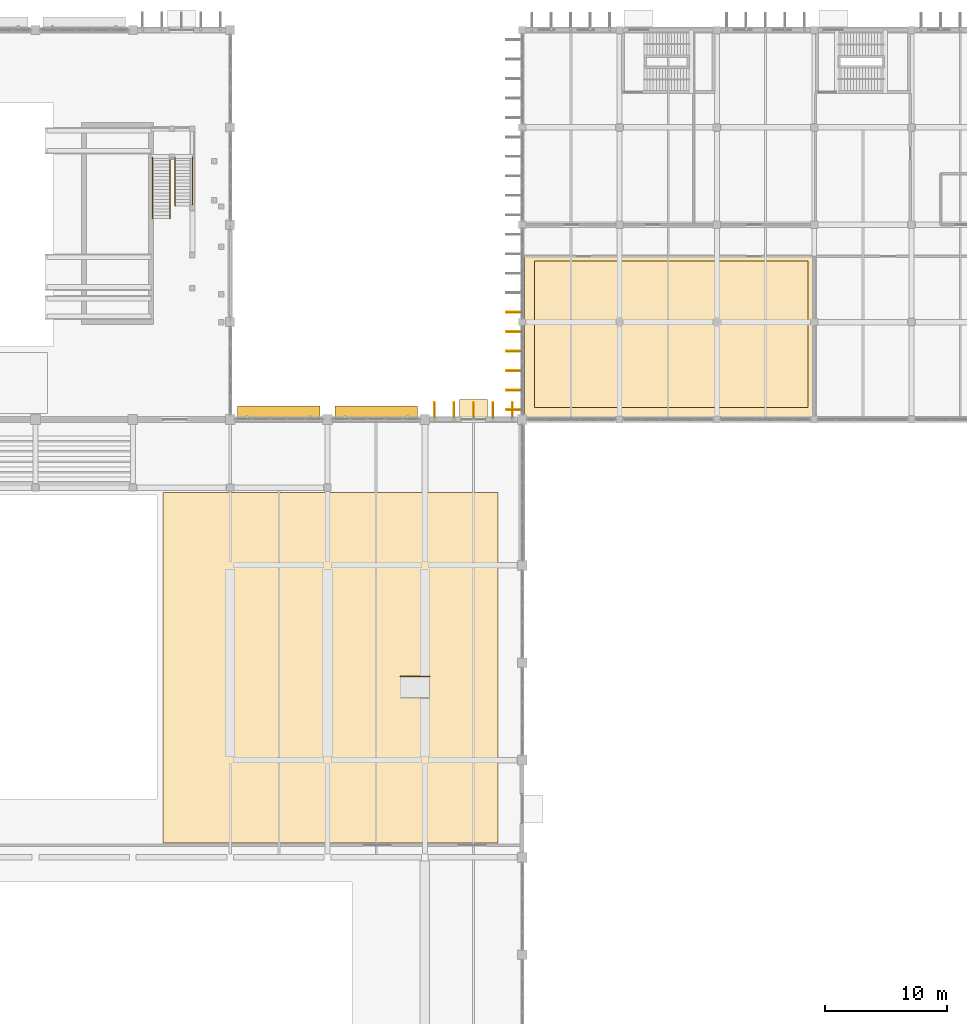
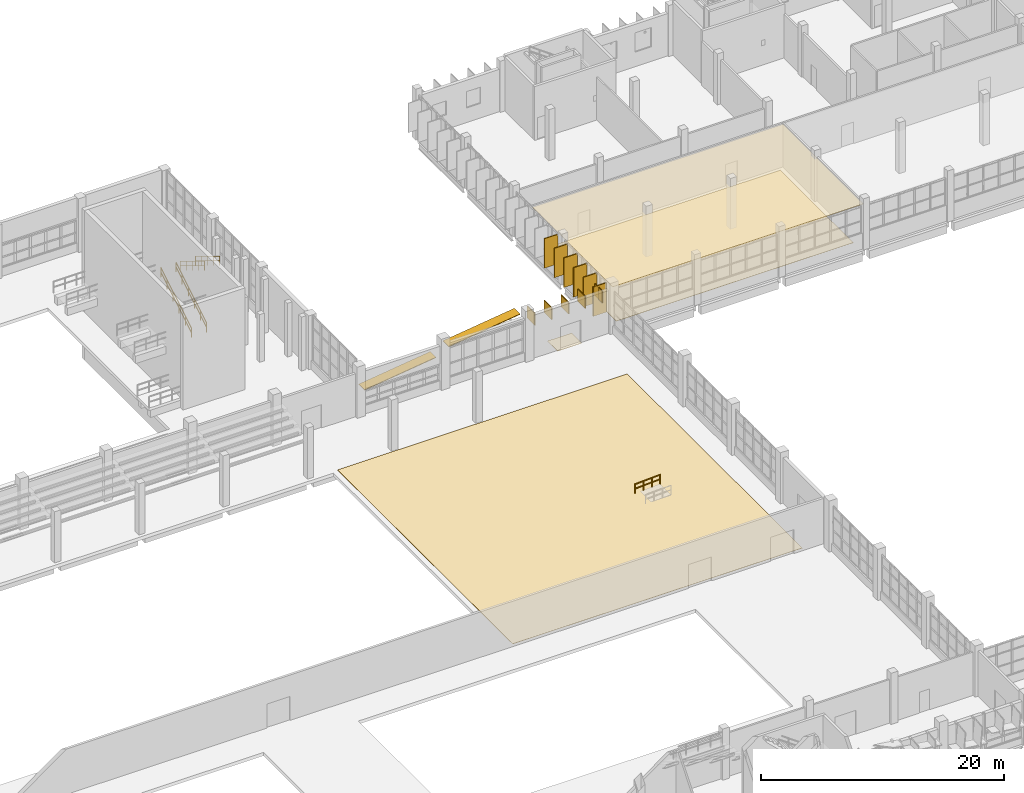
# One storey, part 98 of 103: 15 coverings, 13 shading devices, 5 railings.
"""IFC4 building model written with IfcOpenShell, lengths in metres."""

from ifc_helpers import new_model, si_unit, direction, frame, origin, origin_2d, place, context, subcontext, project, spatial, polyline, rectangle, circle, outline, extrude, material, layer, layer_set, type_object, element, save


model = new_model("IFC4")

# Units and contexts
model_context = context("Model", 3, precision=1e-05, world=origin(), true_north=direction((0.0, 1.0)))
body_context = subcontext(model_context, "Body", "Model", "MODEL_VIEW")
ifc_project = project(units=[si_unit("LENGTHUNIT", "METRE"), si_unit("AREAUNIT", "SQUARE_METRE"), si_unit("VOLUMEUNIT", "CUBIC_METRE"), si_unit("PLANEANGLEUNIT", "RADIAN"), si_unit("MASSUNIT", "GRAM", prefix="KILO")], contexts=[model_context])

# Site, building, storey
site_placement = place(None, origin())
site = spatial("IfcSite", under=ifc_project, at=site_placement, CompositionType="ELEMENT")
building_placement = place(site_placement, origin())
building = spatial("IfcBuilding", under=site, at=building_placement, Name="Drelvana Railside Aquatics Centre", CompositionType="ELEMENT")
storey_placement = place(building_placement, origin())
storey = spatial("IfcBuildingStorey", under=building, at=storey_placement, Name="L00", CompositionType="ELEMENT", Elevation=0.0)

# Coverings
ifc_material_1 = material(Name="Moisture-resistant perforated acoustic timber ceiling", Category="wood")
ifc_layer_1 = layer(ifc_material_1, 0.034912109375, Name="Moisture-resistant perforated acoustic timber ceiling")
ifc_layer_set_1 = layer_set([ifc_layer_1], Name="Moisture-resistant perforated acoustic timber ceiling")
covering_type_1 = type_object("IfcCoveringType", Name="COV-CEIL-ACOUSTIC", PredefinedType="CEILING", material=ifc_layer_set_1)
covering_1_placement = place(storey_placement, frame((0.0, 0.0, 4.199951171875)))
element("IfcCovering", 1, at=covering_1_placement, inside=storey, type_object=covering_type_1, Name="Public Changing moisture-resistant ceiling", PredefinedType="CEILING", context=body_context, shape_type="SweptSolid", body=[
    extrude(outline(polyline([(96.199951171875, 84.199951171875), (120.0, 84.199951171875), (120.0, 97.39990234375), (96.199951171875, 97.39990234375), (96.199951171875, 84.199951171875)])), origin(), (0.0, 0.0, 1.0), 0.03515625),
])
ifc_material_2 = material(Name="Catalan trencadis polychrome ceramic mosaic cladding", Category="masonry")
ifc_layer_2 = layer(ifc_material_2, 0.044921875, Name="Catalan trencadis polychrome ceramic mosaic cladding")
ifc_layer_set_2 = layer_set([ifc_layer_2], Name="Catalan trencadis polychrome ceramic mosaic cladding")
covering_type_2 = type_object("IfcCoveringType", Name="COV-CLAD-TRENCADIS", PredefinedType="CLADDING", material=ifc_layer_set_2)
covering_2_placement = place(storey_placement, frame((0.0, 0.0, -0.2548828125)))
element("IfcCovering", 2, at=covering_2_placement, inside=storey, type_object=covering_type_2, Name="Threshold apron bedding trim 003", PredefinedType="CLADDING", context=body_context, shape_type="SweptSolid", body=[
    extrude(outline(polyline([(90.85009765625, 84.0048828125), (93.14990234375, 84.0048828125), (93.14990234375, 85.655029296875), (90.85009765625, 85.655029296875), (90.85009765625, 84.0048828125)])), origin(), (0.0, 0.0, 1.0), 0.044921875),
])
ifc_material_3 = material(Name="Bronze-anodised extruded aluminium 6063-T6", Category="aluminium")
covering_type_3 = type_object("IfcCoveringType", Name="COV-FIN-ALU", PredefinedType="CLADDING", material=ifc_material_3)
for number, where, z_axis, x_axis, name in (
    (3, (88.800048828125, 84.760009765625, 3.0), (0.0, 0.0, 1.0), (1.0, 0.0, 0.0), "Vertical aluminium fin cladding CF-0160"),
    (4, (90.39990234375, 84.760009765625, 3.0), (0.0, 0.0, 1.0), (1.0, 0.0, 0.0), "Vertical aluminium fin cladding CF-0161"),
    (5, (92.0, 84.760009765625, 3.0), (0.0, 0.0, 1.0), (1.0, 0.0, 0.0), "Vertical aluminium fin cladding CF-0162"),
    (6, (93.60009765625, 84.760009765625, 3.0), (0.0, 0.0, 1.0), (1.0, 0.0, 0.0), "Vertical aluminium fin cladding CF-0163"),
    (7, (95.199951171875, 84.760009765625, 3.0), (0.0, 0.0, 1.0), (1.0, 0.0, 0.0), "Vertical aluminium fin cladding CF-0164"),
):
    element("IfcCovering", number, at=place(storey_placement, frame(where, z_axis=z_axis, x_axis=x_axis)), inside=storey, type_object=covering_type_3, Name=name, PredefinedType="CLADDING", context=body_context, shape_type="SweptSolid", body=[
        extrude(rectangle(XDim=0.0849609375, YDim=1.25, at=origin_2d()), origin(), (0.0, 0.0, 1.0), 1.199951171875),
    ])
for number, where, z_axis, x_axis, name in (
    (8, (95.31494140625, 84.800048828125, 1.4501953125), (0.0, 0.0, 1.0), (0.0, 1.0, 0.0), "Vertical aluminium fin cladding CF-0496"),
    (9, (95.31494140625, 86.39990234375, 1.4501953125), (0.0, 0.0, 1.0), (0.0, 1.0, 0.0), "Vertical aluminium fin cladding CF-0497"),
    (10, (95.31494140625, 88.0, 1.4501953125), (0.0, 0.0, 1.0), (0.0, 1.0, 0.0), "Vertical aluminium fin cladding CF-0498"),
    (11, (95.31494140625, 89.60009765625, 1.4501953125), (0.0, 0.0, 1.0), (0.0, 1.0, 0.0), "Vertical aluminium fin cladding CF-0499"),
    (12, (95.31494140625, 91.199951171875, 1.4501953125), (0.0, 0.0, 1.0), (0.0, 1.0, 0.0), "Vertical aluminium fin cladding CF-0500"),
    (13, (95.31494140625, 92.800048828125, 1.4501953125), (0.0, 0.0, 1.0), (0.0, 1.0, 0.0), "Vertical aluminium fin cladding CF-0506"),
):
    element("IfcCovering", number, at=place(storey_placement, frame(where, z_axis=z_axis, x_axis=x_axis)), inside=storey, type_object=covering_type_3, Name=name, PredefinedType="CLADDING", context=body_context, shape_type="SweptSolid", body=[
        extrude(rectangle(XDim=0.0849609375, YDim=1.25, at=origin_2d()), origin(), (0.0, 0.0, 1.0), 2.949951171875),
    ])
ifc_material_4 = material(Name="Slip-resistant vitrified ceramic pool deck tile", Category="masonry")
ifc_layer_3 = layer(ifc_material_4, 0.02490234375, Name="Slip-resistant vitrified ceramic pool deck tile")
ifc_layer_set_3 = layer_set([ifc_layer_3], Name="Slip-resistant vitrified ceramic pool deck tile")
covering_type_4 = type_object("IfcCoveringType", Name="COV-FLOR-ANTISLIP", PredefinedType="FLOORING", material=ifc_layer_set_3)
covering_3_placement = place(storey_placement, origin())
element("IfcCovering", 14, at=covering_3_placement, inside=storey, type_object=covering_type_4, Name="Competition Pool east slip-resistant deck finish", PredefinedType="FLOORING", context=body_context, shape_type="SweptSolid", body=[
    extrude(outline(polyline([(66.5, 49.199951171875), (94.0, 49.199951171875), (94.0, 78.0), (66.5, 78.0), (66.5, 49.199951171875)])), origin(), (0.0, 0.0, 1.0), 0.02490234375),
])
covering_4_placement = place(storey_placement, origin())
element("IfcCovering", 15, at=covering_4_placement, inside=storey, type_object=covering_type_4, Name="Changing Village anti-slip ceramic flooring", PredefinedType="FLOORING", context=body_context, shape_type="SweptSolid", body=[
    extrude(outline(polyline([(97.0, 85.0), (119.5, 85.0), (119.5, 97.0), (97.0, 97.0), (97.0, 85.0)])), origin(), (0.0, 0.0, 1.0), 0.02490234375),
])

# Railings
ifc_material_5 = material(Name="Brushed stainless steel stair pitch handrail", Category="steel")
railing_type = type_object("IfcRailingType", Name="RAL-HANDRAIL-950", PredefinedType="HANDRAIL", material=ifc_material_5)
for number, where, name in (
    (16, (65.6298828125, 100.5, 0.0), "Diving stair ST-DV1 flight 1 W handrail"),
    (17, (67.070068359375, 100.5, 0.0), "Diving stair ST-DV1 flight 1 E handrail"),
):
    element("IfcRailing", number, at=place(storey_placement, frame(where)), inside=storey, type_object=railing_type, Name=name, PredefinedType="HANDRAIL", context=body_context, shape_type="SweptSolid", body=[
        extrude(circle(Radius=0.02392578125, at=origin_2d()), frame((0.0, 0.0, 0.92578125), z_axis=(0.0, 0.859065689777, 0.511865354021), x_axis=(-1.0, 0.0, 0.0)), (0.0, 0.0, 1.0), 5.86083984375),
        extrude(circle(Radius=0.02392578125, at=origin_2d()), frame((0.0, 0.0, 0.47509765625), z_axis=(0.0, 0.859065689777, 0.511865354021), x_axis=(-1.0, 0.0, 0.0)), (0.0, 0.0, 1.0), 5.86083984375),
        extrude(circle(Radius=0.02099609375, at=origin_2d()), origin(), (0.0, 0.0, 1.0), 0.90185546875),
        extrude(circle(Radius=0.02099609375, at=origin_2d()), frame((0.0, 1.007080078125, 0.60009765625)), (0.0, 0.0, 1.0), 0.90185546875),
        extrude(circle(Radius=0.02099609375, at=origin_2d()), frame((0.0, 2.013916015625, 1.199951171875)), (0.0, 0.0, 1.0), 0.90185546875),
        extrude(circle(Radius=0.02099609375, at=origin_2d()), frame((0.0, 3.02099609375, 1.800048828125)), (0.0, 0.0, 1.0), 0.90185546875),
        extrude(circle(Radius=0.02099609375, at=origin_2d()), frame((0.0, 4.02783203125, 2.39990234375)), (0.0, 0.0, 1.0), 0.90185546875),
        extrude(circle(Radius=0.02099609375, at=origin_2d()), frame((0.0, 5.034912109375, 3.0)), (0.0, 0.0, 1.0), 0.90185546875),
    ])
for number, where, name in (
    (18, (67.47998046875, 105.534912109375, 3.0), "Diving stair ST-DV1 flight 2 W handrail"),
    (19, (68.919921875, 105.534912109375, 3.0), "Diving stair ST-DV1 flight 2 E handrail"),
):
    element("IfcRailing", number, at=place(storey_placement, frame(where)), inside=storey, type_object=railing_type, Name=name, PredefinedType="HANDRAIL", context=body_context, shape_type="SweptSolid", body=[
        extrude(circle(Radius=0.02392578125, at=origin_2d()), frame((0.0, 0.0, 0.92578125), z_axis=(0.0, -0.856065323218, 0.516867644938), x_axis=(1.0, 0.0, 0.0)), (0.0, 0.0, 1.0), 4.64306640625),
        extrude(circle(Radius=0.02392578125, at=origin_2d()), frame((0.0, 0.0, 0.47509765625), z_axis=(0.0, -0.856065323218, 0.516867644938), x_axis=(1.0, 0.0, 0.0)), (0.0, 0.0, 1.0), 4.64306640625),
        extrude(circle(Radius=0.02099609375, at=origin_2d()), origin(), (0.0, 0.0, 1.0), 0.90185546875),
        extrude(circle(Radius=0.02099609375, at=origin_2d()), frame((0.0, -0.99365234375, 0.60009765625)), (0.0, 0.0, 1.0), 0.90185546875),
        extrude(circle(Radius=0.02099609375, at=origin_2d()), frame((0.0, -1.9873046875, 1.199951171875)), (0.0, 0.0, 1.0), 0.90185546875),
        extrude(circle(Radius=0.02099609375, at=origin_2d()), frame((0.0, -2.981201171875, 1.7998046875)), (0.0, 0.0, 1.0), 0.90185546875),
        extrude(circle(Radius=0.02099609375, at=origin_2d()), frame((0.0, -3.974853515625, 2.39990234375)), (0.0, 0.0, 1.0), 0.90185546875),
    ])
railing_placement = place(storey_placement, frame((86.0, 62.8798828125, 0.0)))
element("IfcRailing", 20, at=railing_placement, inside=storey, type_object=railing_type, Name="Accessible ramp handrail RMP-WC-POOL-E", PredefinedType="HANDRAIL", context=body_context, shape_type="SweptSolid", body=[
    extrude(circle(Radius=0.02392578125, at=origin_2d()), frame((0.0, 0.0, 0.92578125), z_axis=(0.998749803871, 0.0, 0.049988291303), x_axis=(0.0, 1.0, 0.0)), (0.0, 0.0, 1.0), 2.40283203125),
    extrude(circle(Radius=0.02392578125, at=origin_2d()), frame((0.0, 0.0, 0.47509765625), z_axis=(0.998749803871, 0.0, 0.049988291303), x_axis=(0.0, 1.0, 0.0)), (0.0, 0.0, 1.0), 2.40283203125),
    extrude(circle(Radius=0.02099609375, at=origin_2d()), origin(), (0.0, 0.0, 1.0), 0.90185546875),
    extrude(circle(Radius=0.02099609375, at=origin_2d()), frame((0.800048828125, 0.0, 0.0400390625)), (0.0, 0.0, 1.0), 0.90185546875),
    extrude(circle(Radius=0.02099609375, at=origin_2d()), frame((1.599853515625, 0.0, 0.080078125)), (0.0, 0.0, 1.0), 0.90185546875),
    extrude(circle(Radius=0.02099609375, at=origin_2d()), frame((2.39990234375, 0.0, 0.1201171875)), (0.0, 0.0, 1.0), 0.90185546875),
])

# Shading devices
ifc_layer_4 = layer(ifc_material_3, 0.06494140625, Name="Bronze-anodised extruded aluminium 6063-T6")
ifc_layer_set_4 = layer_set([ifc_layer_4], Name="Bronze-anodised extruded aluminium 6063-T6")
shading_device_type_1 = type_object("IfcShadingDeviceType", Name="SHD-EYELID-950", PredefinedType="JALOUSIE", material=ifc_layer_set_4)
for number, where, z_axis, x_axis, name in (
    (21, (76.004150390625, 84.614990234375, 2.577880859375), (-0.13052619222, 0.0, 0.991444861374), (0.0, 1.0, 0.0), "North sine-wave eyelid louvre 2"),
    (22, (84.004150390625, 84.614990234375, 4.127685546875), (-0.13052619222, 0.0, 0.991444861374), (0.0, 1.0, 0.0), "North sine-wave eyelid louvre 3"),
):
    element("IfcShadingDevice", number, at=place(storey_placement, frame(where, z_axis=z_axis, x_axis=x_axis)), inside=storey, type_object=shading_device_type_1, Name=name, PredefinedType="JALOUSIE", context=body_context, shape_type="SweptSolid", body=[
        extrude(rectangle(XDim=0.949951171875, YDim=6.840087890625, at=origin_2d()), origin(), (0.0, 0.0, 1.0), 0.06494140625),
    ])
shading_device_type_2 = type_object("IfcShadingDeviceType", Name="SHD-FIN-1250", PredefinedType="USERDEFINED", material=ifc_material_3)
for number, where, z_axis, x_axis, name in (
    (23, (88.800048828125, 84.780029296875, 3.0), (0.0, 0.0, 1.0), (0.0, 1.0, 0.0), "Vertical bronze shading fin FN-0163"),
    (24, (90.39990234375, 84.780029296875, 3.0), (0.0, 0.0, 1.0), (0.0, 1.0, 0.0), "Vertical bronze shading fin FN-0164"),
    (25, (92.0, 84.780029296875, 3.0), (0.0, 0.0, 1.0), (0.0, 1.0, 0.0), "Vertical bronze shading fin FN-0165"),
    (26, (93.60009765625, 84.780029296875, 3.0), (0.0, 0.0, 1.0), (0.0, 1.0, 0.0), "Vertical bronze shading fin FN-0166"),
    (27, (95.199951171875, 84.780029296875, 3.0), (0.0, 0.0, 1.0), (0.0, 1.0, 0.0), "Vertical bronze shading fin FN-0167"),
):
    element("IfcShadingDevice", number, at=place(storey_placement, frame(where, z_axis=z_axis, x_axis=x_axis)), inside=storey, type_object=shading_device_type_2, Name=name, ObjectType="FIN", PredefinedType="USERDEFINED", context=body_context, shape_type="SweptSolid", body=[
        extrude(rectangle(XDim=1.25, YDim=0.06494140625, at=origin_2d()), origin(), (0.0, 0.0, 1.0), 1.199951171875),
    ])
for number, where, z_axis, x_axis, name in (
    (28, (95.294921875, 84.800048828125, 1.4501953125), (0.0, 0.0, 1.0), (-1.0, 0.0, 0.0), "Vertical bronze shading fin FN-0503"),
    (29, (95.294921875, 86.39990234375, 1.4501953125), (0.0, 0.0, 1.0), (-1.0, 0.0, 0.0), "Vertical bronze shading fin FN-0504"),
    (30, (95.294921875, 88.0, 1.4501953125), (0.0, 0.0, 1.0), (-1.0, 0.0, 0.0), "Vertical bronze shading fin FN-0505"),
    (31, (95.294921875, 89.60009765625, 1.4501953125), (0.0, 0.0, 1.0), (-1.0, 0.0, 0.0), "Vertical bronze shading fin FN-0506"),
    (32, (95.294921875, 91.199951171875, 1.4501953125), (0.0, 0.0, 1.0), (-1.0, 0.0, 0.0), "Vertical bronze shading fin FN-0507"),
    (33, (95.294921875, 92.800048828125, 1.4501953125), (0.0, 0.0, 1.0), (-1.0, 0.0, 0.0), "Vertical bronze shading fin FN-0513"),
):
    element("IfcShadingDevice", number, at=place(storey_placement, frame(where, z_axis=z_axis, x_axis=x_axis)), inside=storey, type_object=shading_device_type_2, Name=name, ObjectType="FIN", PredefinedType="USERDEFINED", context=body_context, shape_type="SweptSolid", body=[
        extrude(rectangle(XDim=1.25, YDim=0.06494140625, at=origin_2d()), origin(), (0.0, 0.0, 1.0), 2.949951171875),
    ])

save(model, "model.ifc")
